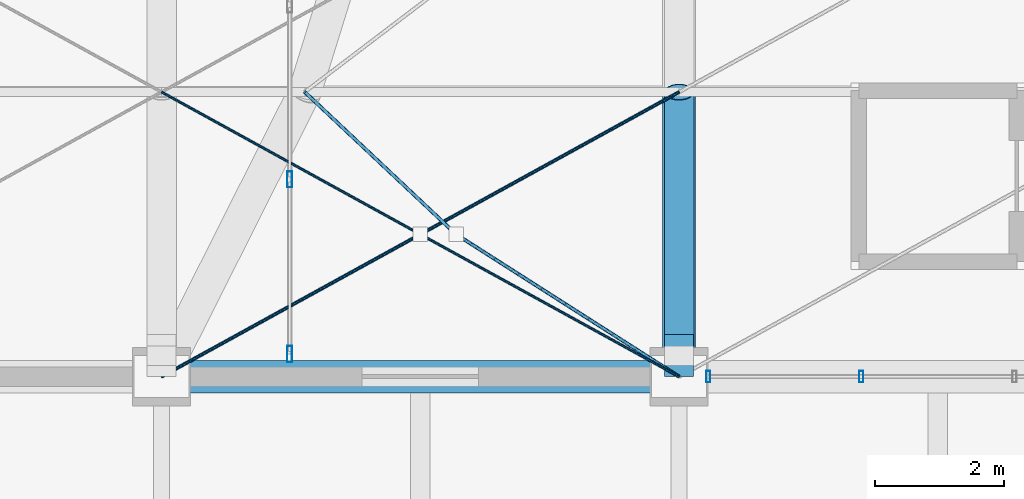
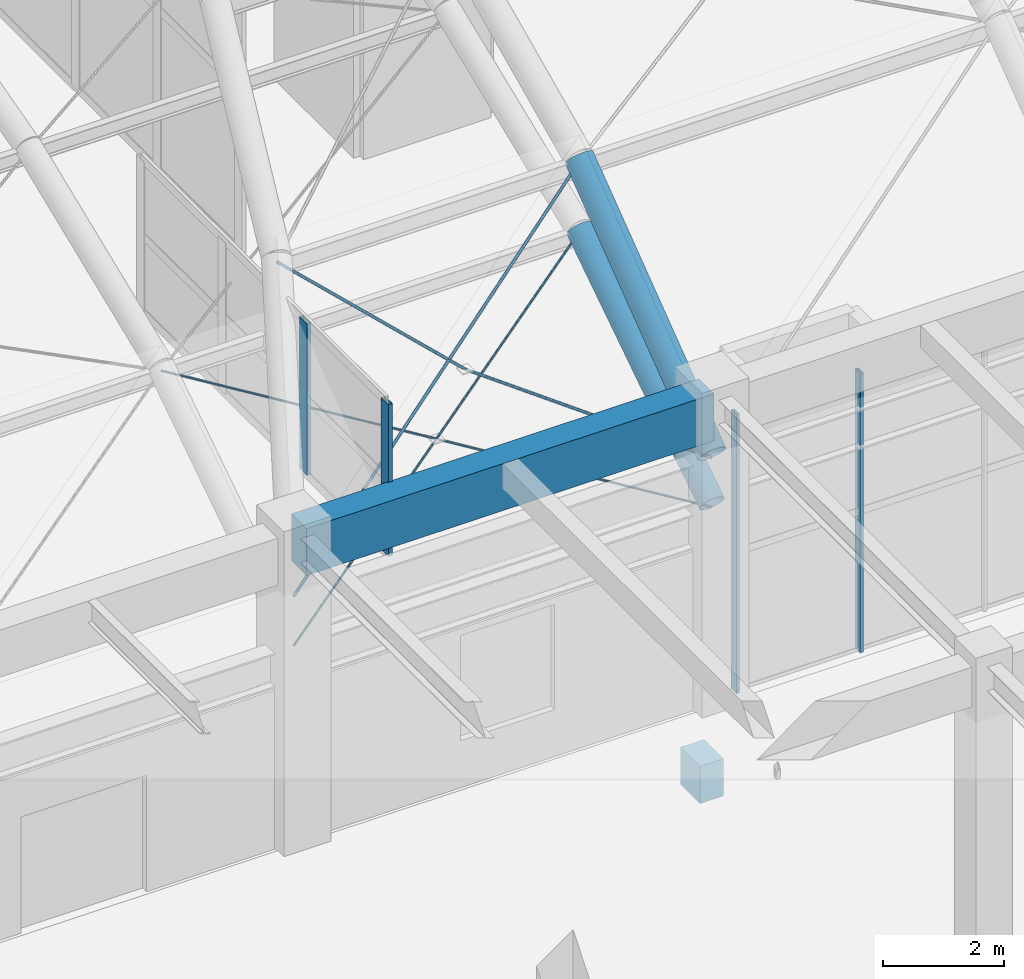
# One storey, part 39 of 163: 10 members, 4 beams, 2 elements without a shape of their own.
"""IFC4 building model written with IfcOpenShell, lengths in metres."""

from ifc_helpers import new_model, si_unit, direction, frame, origin, origin_2d, place, context, subcontext, project, spatial, rectangle, hollow_rectangle, circle, hollow_circle, extrude, material, material_profile, profile_set, type_object, element, aggregate, save


model = new_model("IFC4")

# Units and contexts
model_context = context("Model", 3, precision=1e-05, world=origin(), true_north=direction((0.0, 1.0)))
body_context = subcontext(model_context, "Body", "Model", "MODEL_VIEW")
ifc_project = project(units=[si_unit("LENGTHUNIT", "METRE"), si_unit("AREAUNIT", "SQUARE_METRE"), si_unit("VOLUMEUNIT", "CUBIC_METRE"), si_unit("PLANEANGLEUNIT", "RADIAN"), si_unit("MASSUNIT", "GRAM", prefix="KILO")], contexts=[model_context])

# Site, building, storey
site_placement = place(None, origin())
site = spatial("IfcSite", under=ifc_project, at=site_placement, CompositionType="ELEMENT")
building_placement = place(site_placement, origin())
building = spatial("IfcBuilding", under=site, at=building_placement, Name="Varnabhumi Central Station", CompositionType="ELEMENT")
storey_placement = place(building_placement, frame((0.0, 0.0, 9.60009765625)))
storey = spatial("IfcBuildingStorey", under=building, at=storey_placement, Name="L02", CompositionType="ELEMENT", Elevation=9.60009765625)

# Beams
ifc_material_1 = material(Name="Structural steel E450", Category="steel")
ifc_material_profile_1 = material_profile(ifc_material_1, hollow_circle(Radius=0.228515625, WallThickness=0.01611328125, at=origin_2d()), Name="Structural steel E450", Category="steel")
ifc_profile_set_1 = profile_set([ifc_material_profile_1], Name="Structural steel E450")
beam_type_1 = type_object("IfcBeamType", Name="BM-ARCH-CHS457", PredefinedType="BEAM", material=ifc_profile_set_1)
beam_1_placement = place(storey_placement, frame((80.0, 36.0, 3.949951171875), z_axis=(0.0, 0.835386835677, 0.549662473503), x_axis=(-1.0, 0.0, 0.0)))
element("IfcBeam", 1, at=beam_1_placement, inside=storey, type_object=beam_type_1, Name="Ticket Hall Vault Arch Rib 6 Seg 1", PredefinedType="BEAM", context=body_context, shape_type="SweptSolid", body=[
    extrude(hollow_circle(Radius=0.228515625, WallThickness=0.01611328125, at=origin_2d()), origin(), (0.0, 0.0, 1.0), 5.266845703125),
])
ifc_material_2 = material(Name="Structural steel E350", Category="steel")
ifc_material_profile_2 = material_profile(ifc_material_2, hollow_circle(Radius=0.25390625, WallThickness=0.02001953125, at=origin_2d()), Name="Structural steel E350", Category="steel")
ifc_profile_set_2 = profile_set([ifc_material_profile_2], Name="Structural steel E350")
beam_type_2 = type_object("IfcBeamType", Name="BM-ARCH-CHS508", PredefinedType="BEAM", material=ifc_profile_set_2)
beam_2_placement = place(storey_placement, frame((80.0, 36.0, 4.949951171875), z_axis=(0.0, 0.798178703242, 0.602420748058), x_axis=(-1.0, 0.0, 0.0)))
element("IfcBeam", 2, at=beam_2_placement, inside=storey, type_object=beam_type_2, Name="Departure Concourse Vault Arch Rib 2 Seg 1", PredefinedType="BEAM", context=body_context, shape_type="SweptSolid", body=[
    extrude(hollow_circle(Radius=0.25390625, WallThickness=0.02001953125, at=origin_2d()), origin(), (0.0, 0.0, 1.0), 5.512451171875),
])
ifc_material_3 = material(Name="Concrete M40", Category="concrete")
ifc_material_profile_3 = material_profile(ifc_material_3, rectangle(XDim=0.449951171875, YDim=0.75, at=origin_2d()), Name="Concrete M40", Category="concrete")
ifc_profile_set_3 = profile_set([ifc_material_profile_3], Name="Concrete M40")
beam_type_3 = type_object("IfcBeamType", Name="BM-RC-450x750", PredefinedType="BEAM", material=ifc_profile_set_3)
beam_3_placement = place(storey_placement, frame((80.0, 36.0, -1.675048828125), z_axis=(0.0, 1.0, 0.0), x_axis=(-1.0, 0.0, 0.0)))
element("IfcBeam", 3, at=beam_3_placement, inside=storey, type_object=beam_type_3, Name="Concourse Bridge 650mm Corbel Seat 80-S", PredefinedType="BEAM", context=body_context, shape_type="SweptSolid", body=[
    extrude(rectangle(XDim=0.449951171875, YDim=0.75, at=origin_2d()), origin(), (0.0, 0.0, 1.0), 0.64990234375),
])
ifc_material_profile_4 = material_profile(ifc_material_3, rectangle(XDim=0.5, YDim=0.949951171875, at=origin_2d()), Name="Concrete M40", Category="concrete")
ifc_profile_set_4 = profile_set([ifc_material_profile_4], Name="Concrete M40")
beam_type_4 = type_object("IfcBeamType", Name="BM-RC-950x500", PredefinedType="BEAM", material=ifc_profile_set_4)
beam_4_placement = place(storey_placement, frame((72.10009765625, 36.0, 5.875), z_axis=(1.0, 0.0, 0.0), x_axis=(0.0, 1.0, 0.0)))
element("IfcBeam", 4, at=beam_4_placement, inside=storey, type_object=beam_type_4, Name="Beam L02-E:10-11", PredefinedType="BEAM", context=body_context, shape_type="SweptSolid", body=[
    extrude(rectangle(XDim=0.5, YDim=0.949951171875, at=origin_2d()), origin(), (0.0, 0.0, 1.0), 7.7998046875),
])

# Curtain wall, members
ifc_material_4 = material(Name="Anodised aluminium 6063-T6", Category="aluminium")
curtain_wall_type_1 = type_object("IfcCurtainWallType", Name="CW-SPINE-SCREEN-L2", PredefinedType="NOTDEFINED", material=ifc_material_4)
curtain_wall_1_placement = place(storey_placement, origin())
curtain_wall_1 = element("IfcCurtainWall", 5, at=curtain_wall_1_placement, inside=storey, type_object=curtain_wall_type_1, Name="Curtain Wall CW-SS206", PredefinedType="NOTDEFINED")
ifc_material_profile_5 = material_profile(ifc_material_4, hollow_rectangle(XDim=0.06494140625, YDim=0.179931640625, WallThickness=0.00390625, InnerFilletRadius=0.001953125, OuterFilletRadius=0.006103515625, at=origin_2d()), Name="Anodised aluminium 6063-T6", Category="aluminium")
ifc_profile_set_5 = profile_set([ifc_material_profile_5], Name="Anodised aluminium 6063-T6")
member_type_1 = type_object("IfcMemberType", Name="CW-MUL-180", PredefinedType="MULLION", material=ifc_profile_set_5)
member_1_placement = place(storey_placement, frame((80.449951171875, 36.0, 0.0), z_axis=(0.0, 0.0, 1.0), x_axis=(1.0, 0.0, 0.0)))
member_1 = element("IfcMember", 6, at=member_1_placement, type_object=member_type_1, Name="Curtain Wall Mullion CW-SS206-M1", PredefinedType="MULLION", context=body_context, shape_type="SweptSolid", body=[
    extrude(hollow_rectangle(XDim=0.06494140625, YDim=0.179931640625, WallThickness=0.00390625, InnerFilletRadius=0.001953125, OuterFilletRadius=0.006103515625, at=origin_2d()), origin(), (0.0, 0.0, 1.0), 5.639892578125),
])
member_2_placement = place(storey_placement, frame((82.816650390625, 36.0, 0.0), z_axis=(0.0, 0.0, 1.0), x_axis=(1.0, 0.0, 0.0)))
member_2 = element("IfcMember", 7, at=member_2_placement, type_object=member_type_1, Name="Curtain Wall Mullion CW-SS206-M2", PredefinedType="MULLION", context=body_context, shape_type="SweptSolid", body=[
    extrude(hollow_rectangle(XDim=0.06494140625, YDim=0.179931640625, WallThickness=0.00390625, InnerFilletRadius=0.001953125, OuterFilletRadius=0.006103515625, at=origin_2d()), origin(), (0.0, 0.0, 1.0), 5.639892578125),
])
aggregate(curtain_wall_1, [member_1, member_2])

curtain_wall_type_2 = type_object("IfcCurtainWallType", Name="CW-VAULT-ARCH-V4", PredefinedType="NOTDEFINED", material=ifc_material_4)
curtain_wall_2_placement = place(storey_placement, origin())
curtain_wall_2 = element("IfcCurtainWall", 8, at=curtain_wall_2_placement, inside=storey, type_object=curtain_wall_type_2, Name="Curtain Wall CW-V41", PredefinedType="NOTDEFINED")
ifc_material_profile_6 = material_profile(ifc_material_4, hollow_rectangle(XDim=0.080078125, YDim=0.25, WallThickness=0.0048828125, InnerFilletRadius=0.0009765625, OuterFilletRadius=0.006103515625, at=origin_2d()), Name="Anodised aluminium 6063-T6", Category="aluminium")
ifc_profile_set_6 = profile_set([ifc_material_profile_6], Name="Anodised aluminium 6063-T6")
member_type_2 = type_object("IfcMemberType", Name="CW-MUL-250", PredefinedType="MULLION", material=ifc_profile_set_6)
member_3_placement = place(storey_placement, frame((73.98095703125, 36.35009765625, 4.849853515625), z_axis=(0.0, 0.0, 1.0), x_axis=(1.0, 0.0, 0.0)))
member_3 = element("IfcMember", 9, at=member_3_placement, type_object=member_type_2, Name="Curtain Wall Mullion CW-V41-M1", PredefinedType="MULLION", context=body_context, shape_type="SweptSolid", body=[
    extrude(hollow_rectangle(XDim=0.080078125, YDim=0.25, WallThickness=0.0048828125, InnerFilletRadius=0.0009765625, OuterFilletRadius=0.006103515625, at=origin_2d()), origin(), (0.0, 0.0, 1.0), 3.071044921875),
])
member_4_placement = place(storey_placement, frame((73.98095703125, 39.050048828125, 4.849853515625), z_axis=(0.0, 0.0, 1.0), x_axis=(1.0, 0.0, 0.0)))
member_4 = element("IfcMember", 10, at=member_4_placement, type_object=member_type_2, Name="Curtain Wall Mullion CW-V41-M2", PredefinedType="MULLION", context=body_context, shape_type="SweptSolid", body=[
    extrude(hollow_rectangle(XDim=0.080078125, YDim=0.25, WallThickness=0.0048828125, InnerFilletRadius=0.0009765625, OuterFilletRadius=0.006103515625, at=origin_2d()), origin(), (0.0, 0.0, 1.0), 3.071044921875),
])
aggregate(curtain_wall_2, [member_3, member_4])

# Members
ifc_material_5 = material(Name="Spiral-strand steel S1570", Category="steel")
ifc_material_profile_7 = material_profile(ifc_material_5, circle(Radius=0.02099609375, at=origin_2d()), Name="Spiral-strand steel S1570", Category="steel")
ifc_profile_set_7 = profile_set([ifc_material_profile_7], Name="Spiral-strand steel S1570")
member_type_3 = type_object("IfcMemberType", Name="MBR-CABLE-D42", PredefinedType="USERDEFINED", material=ifc_profile_set_7)
member_5_placement = place(storey_placement, frame((72.0, 36.0, 3.869873046875), z_axis=(0.8352374511, 0.459370402335, 0.302253591771), x_axis=(-0.481910537812, 0.876220425204, 0.0)))
element("IfcMember", 11, at=member_5_placement, inside=storey, type_object=member_type_3, Name="Ticket Hall Vault Cable-Net Tie B5-P1A", ObjectType="TENSION CABLE", PredefinedType="USERDEFINED", context=body_context, shape_type="SweptSolid", body=[
    extrude(circle(Radius=0.02099609375, at=origin_2d()), origin(), (0.0, 0.0, 1.0), 9.578125),
])
for number, where, z_axis, x_axis, name in (
    (12, (72.0, 40.39990234375, 6.764892578125), (0.8352374511, -0.459370402335, -0.302253591771), (0.481910537812, 0.876220425204, 0.0), "Ticket Hall Vault Cable-Net Split Tie B5-P1B1"),
    (13, (76.0, 38.199951171875, 5.3173828125), (0.8352374511, -0.459370402335, -0.302253591771), (0.481910537812, 0.876220425204, 0.0), "Ticket Hall Vault Cable-Net Split Tie B5-P1B2"),
):
    element("IfcMember", number, at=place(storey_placement, frame(where, z_axis=z_axis, x_axis=x_axis)), inside=storey, type_object=member_type_3, Name=name, ObjectType="TENSION CABLE", PredefinedType="USERDEFINED", context=body_context, shape_type="SweptSolid", body=[
        extrude(circle(Radius=0.02099609375, at=origin_2d()), origin(), (0.0, 0.0, 1.0), 4.7890625),
    ])
ifc_material_profile_8 = material_profile(ifc_material_5, circle(Radius=0.027099609375, at=origin_2d()), Name="Spiral-strand steel S1570", Category="steel")
ifc_profile_set_8 = profile_set([ifc_material_profile_8], Name="Spiral-strand steel S1570")
member_type_4 = type_object("IfcMemberType", Name="MBR-CABLE-D54", PredefinedType="USERDEFINED", material=ifc_profile_set_8)
member_6_placement = place(storey_placement, frame((72.0, 36.0, 4.869873046875), z_axis=(0.823437214719, 0.452880416372, 0.341833997553), x_axis=(-0.481910537812, 0.876220425204, 0.0)))
element("IfcMember", 14, at=member_6_placement, inside=storey, type_object=member_type_4, Name="Departure Concourse Vault Cable-Net Tie B1-P1A", ObjectType="TENSION CABLE", PredefinedType="USERDEFINED", context=body_context, shape_type="SweptSolid", body=[
    extrude(circle(Radius=0.027099609375, at=origin_2d()), origin(), (0.0, 0.0, 1.0), 9.71533203125),
])
member_7_placement = place(storey_placement, frame((74.2138671875, 40.39990234375, 8.19091796875), z_axis=(0.647117210913, -0.608491410575, -0.459322891436), x_axis=(0.685030271388, 0.728514603342, 0.0)))
element("IfcMember", 15, at=member_7_placement, inside=storey, type_object=member_type_4, Name="Departure Concourse Vault Cable-Net Split Tie B1-P1B1", ObjectType="TENSION CABLE", PredefinedType="USERDEFINED", context=body_context, shape_type="SweptSolid", body=[
    extrude(circle(Radius=0.027099609375, at=origin_2d()), origin(), (0.0, 0.0, 1.0), 3.615478515625),
])
member_8_placement = place(storey_placement, frame((76.553466796875, 38.199951171875, 6.5302734375), z_axis=(0.78098074159, -0.498506585143, -0.376244954562), x_axis=(0.538041771468, 0.84291817643, 0.0)))
element("IfcMember", 16, at=member_8_placement, inside=storey, type_object=member_type_4, Name="Departure Concourse Vault Cable-Net Split Tie B1-P1B2", ObjectType="TENSION CABLE", PredefinedType="USERDEFINED", context=body_context, shape_type="SweptSolid", body=[
    extrude(circle(Radius=0.027099609375, at=origin_2d()), origin(), (0.0, 0.0, 1.0), 4.4130859375),
])

save(model, "model.ifc")
